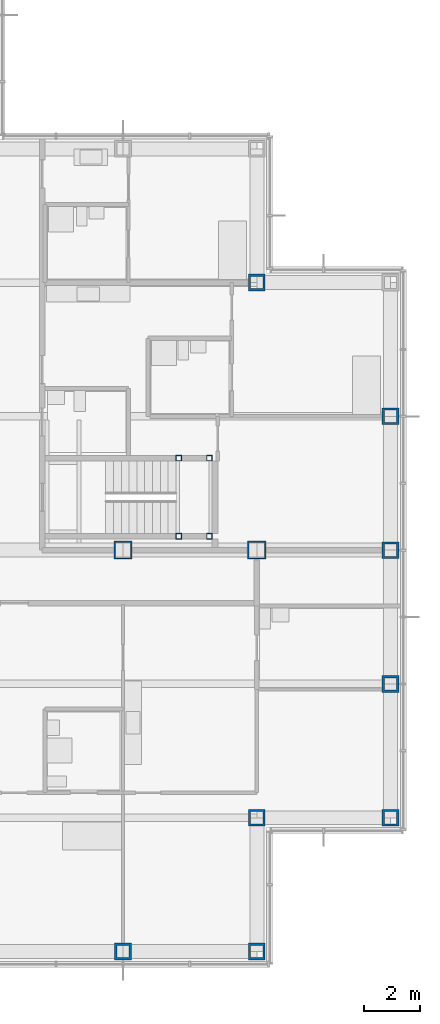
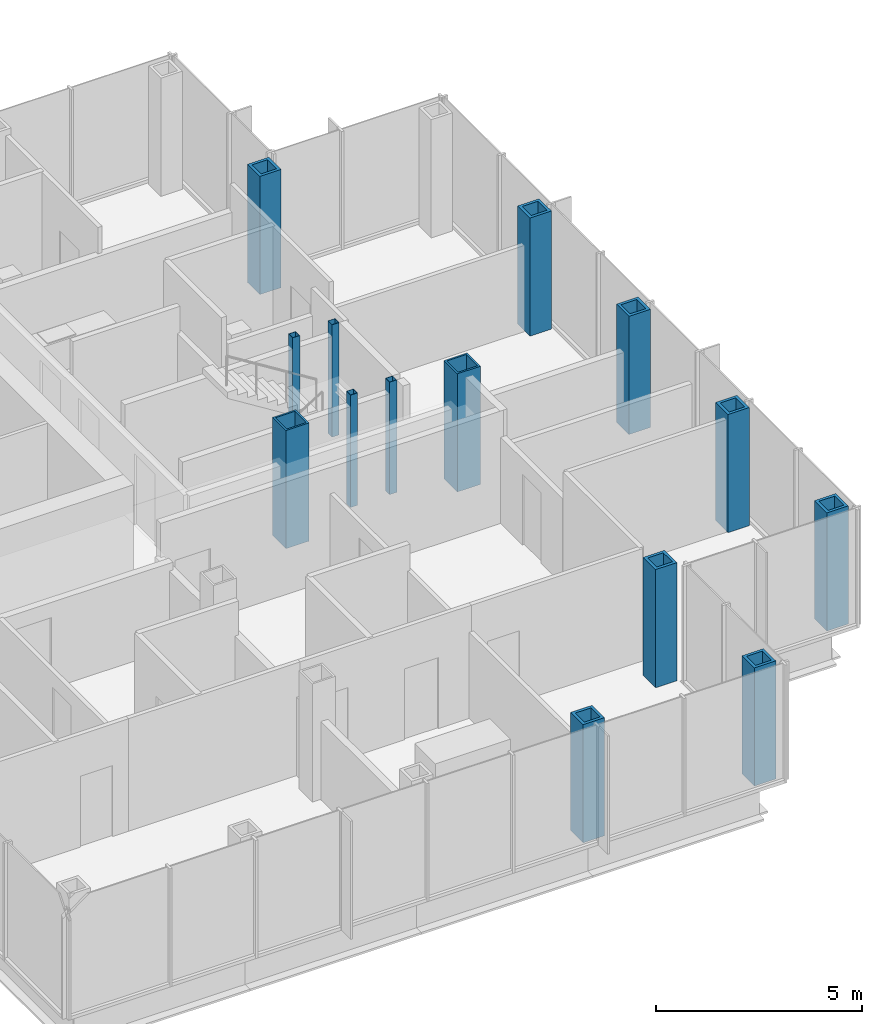
# One storey, part 4 of 20: 14 columns.
"""IFC4 building model written with IfcOpenShell, lengths in metres."""

from ifc_helpers import new_model, si_unit, direction, frame, origin, origin_2d, place, context, subcontext, project, spatial, hollow_rectangle, extrude, material, material_profile, profile_set, type_object, element, save


model = new_model("IFC4")

# Units and contexts
model_context = context("Model", 3, precision=1e-05, world=origin(), true_north=direction((0.0, 1.0)))
body_context = subcontext(model_context, "Body", "Model", "MODEL_VIEW")
ifc_project = project(units=[si_unit("LENGTHUNIT", "METRE"), si_unit("AREAUNIT", "SQUARE_METRE"), si_unit("VOLUMEUNIT", "CUBIC_METRE"), si_unit("PLANEANGLEUNIT", "RADIAN"), si_unit("MASSUNIT", "GRAM", prefix="KILO")], contexts=[model_context])

# Site, building, storey
site_placement = place(None, origin())
site = spatial("IfcSite", under=ifc_project, at=site_placement, CompositionType="ELEMENT")
building_placement = place(site_placement, origin())
building = spatial("IfcBuilding", under=site, at=building_placement, Name="Kvirike Care Tower", CompositionType="ELEMENT")
storey_placement = place(building_placement, frame((0.0, 0.0, 126.0)))
storey = spatial("IfcBuildingStorey", under=building, at=storey_placement, Name="L34", CompositionType="ELEMENT", Elevation=126.0)

# Columns
ifc_material_1 = material(Name="Steel S460", Category="steel")
ifc_material_profile_1 = material_profile(ifc_material_1, hollow_rectangle(XDim=0.60009765625, YDim=0.60009765625, WallThickness=0.080078125, at=origin_2d()), Name="BX 600x600x80")
ifc_profile_set_1 = profile_set([ifc_material_profile_1], Name="Steel S460")
column_type_1 = type_object("IfcColumnType", Name="COLUMN BX 600x600x80", PredefinedType="COLUMN", material=ifc_profile_set_1)
for number, where, z_axis, x_axis, name in (
    (1, (33.60009765625, 14.39990234375, 0.0), (0.0, 0.0, 1.0), (0.0, 1.0, 0.0), "Column D10 L34"),
    (2, (38.39990234375, 14.39990234375, 0.0), (0.0, 0.0, 1.0), (0.0, 1.0, 0.0), "Column D11 L34"),
    (3, (38.39990234375, 19.199951171875, 0.0), (0.0, 0.0, 1.0), (0.0, 1.0, 0.0), "Column E11 L34"),
    (4, (38.39990234375, 38.39990234375, 0.0), (0.0, 0.0, 1.0), (0.0, 1.0, 0.0), "Column J11 L34"),
    (5, (43.199951171875, 19.199951171875, 0.0), (0.0, 0.0, 1.0), (0.0, 1.0, 0.0), "Column E12 L34"),
    (6, (43.199951171875, 24.0, 0.0), (0.0, 0.0, 1.0), (1.0, 0.0, 0.0), "Column F12 L34"),
    (7, (43.199951171875, 28.800048828125, 0.0), (0.0, 0.0, 1.0), (0.0, 1.0, 0.0), "Column G12 L34"),
    (8, (43.199951171875, 33.60009765625, 0.0), (0.0, 0.0, 1.0), (1.0, 0.0, 0.0), "Column H12 L34"),
):
    element("IfcColumn", number, at=place(storey_placement, frame(where, z_axis=z_axis, x_axis=x_axis)), inside=storey, type_object=column_type_1, Name=name, PredefinedType="COLUMN", context=body_context, shape_type="SweptSolid", body=[
        extrude(hollow_rectangle(XDim=0.60009765625, YDim=0.60009765625, WallThickness=0.080078125, at=origin_2d()), origin(), (0.0, 0.0, 1.0), 3.5),
    ])
ifc_material_2 = material(Name="Steel S460", Category="steel")
ifc_material_profile_2 = material_profile(ifc_material_2, hollow_rectangle(XDim=0.64990234375, YDim=0.64990234375, WallThickness=0.050048828125, at=origin_2d()), Name="BX 650x650x50")
ifc_profile_set_2 = profile_set([ifc_material_profile_2], Name="Steel S460")
column_type_2 = type_object("IfcColumnType", Name="COLUMN BX 650x650x50", PredefinedType="COLUMN", material=ifc_profile_set_2)
for number, where, z_axis, x_axis, name in (
    (9, (33.60009765625, 28.800048828125, 0.0), (0.0, 0.0, 1.0), (0.0, 1.0, 0.0), "Column G10 L34"),
    (10, (38.39990234375, 28.800048828125, 0.0), (0.0, 0.0, 1.0), (0.0, 1.0, 0.0), "Column G11 L34"),
):
    element("IfcColumn", number, at=place(storey_placement, frame(where, z_axis=z_axis, x_axis=x_axis)), inside=storey, type_object=column_type_2, Name=name, PredefinedType="COLUMN", context=body_context, shape_type="SweptSolid", body=[
        extrude(hollow_rectangle(XDim=0.64990234375, YDim=0.64990234375, WallThickness=0.050048828125, at=origin_2d()), origin(), (0.0, 0.0, 1.0), 3.5),
    ])
ifc_material_3 = material(Name="Steel S460", Category="steel")
ifc_material_profile_3 = material_profile(ifc_material_3, hollow_rectangle(XDim=0.199951171875, YDim=0.199951171875, WallThickness=0.008056640625, at=origin_2d()), Name="SHS 200x200x8")
ifc_profile_set_3 = profile_set([ifc_material_profile_3], Name="Steel S460")
column_type_3 = type_object("IfcColumnType", Name="STAIR POST SHS 200x200x8", PredefinedType="COLUMN", material=ifc_profile_set_3)
for number, where, z_axis, x_axis, name in (
    (11, (36.699951171875, 29.300048828125, 0.0), (0.0, 0.0, 1.0), (1.0, 0.0, 0.0), "Stair 2 post 1 L34"),
    (12, (36.699951171875, 32.10009765625, 0.0), (0.0, 0.0, 1.0), (1.0, 0.0, 0.0), "Stair 2 post 2 L34"),
    (13, (35.60009765625, 29.300048828125, 0.0), (0.0, 0.0, 1.0), (1.0, 0.0, 0.0), "Stair 2 post 3 L34"),
    (14, (35.60009765625, 32.10009765625, 0.0), (0.0, 0.0, 1.0), (1.0, 0.0, 0.0), "Stair 2 post 4 L34"),
):
    element("IfcColumn", number, at=place(storey_placement, frame(where, z_axis=z_axis, x_axis=x_axis)), inside=storey, type_object=column_type_3, Name=name, PredefinedType="COLUMN", context=body_context, shape_type="SweptSolid", body=[
        extrude(hollow_rectangle(XDim=0.199951171875, YDim=0.199951171875, WallThickness=0.008056640625, at=origin_2d()), origin(), (0.0, 0.0, 1.0), 3.330078125),
    ])

save(model, "model.ifc")
